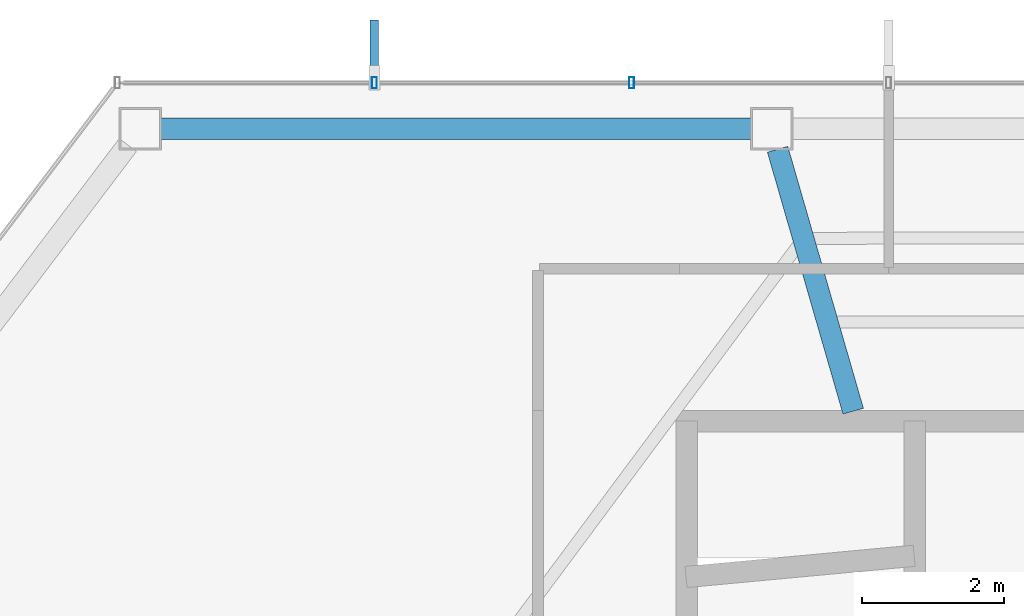
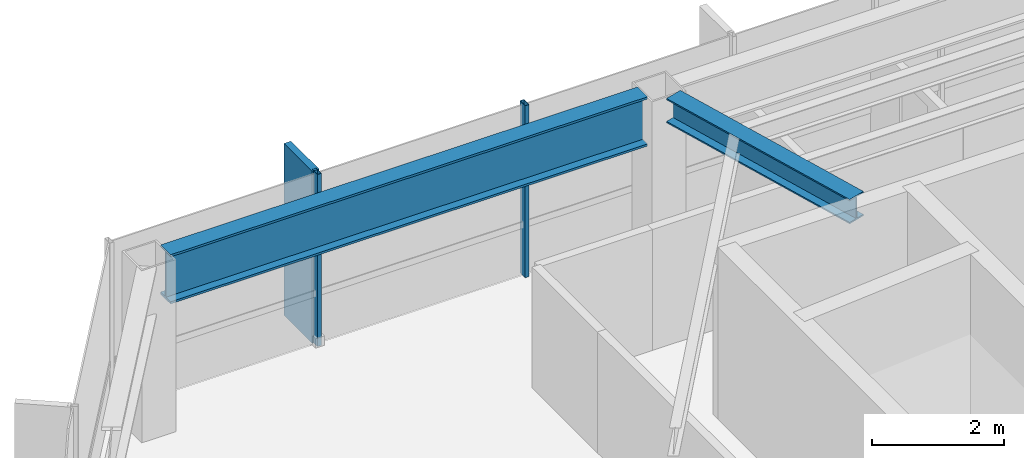
# One storey, part 13 of 27: 3 members, 2 beams, 1 element without a shape of its own.
"""IFC4 building model written with IfcOpenShell, lengths in metres."""

from ifc_helpers import new_model, si_unit, direction, frame, origin, origin_2d, place, context, subcontext, project, spatial, rectangle, hollow_rectangle, i_section, extrude, material, layer, layer_set, material_profile, profile_set, type_object, element, aggregate, save


model = new_model("IFC4")

# Units and contexts
model_context = context("Model", 3, precision=1e-05, world=origin(), true_north=direction((0.0, 1.0)))
body_context = subcontext(model_context, "Body", "Model", "MODEL_VIEW")
ifc_project = project(units=[si_unit("LENGTHUNIT", "METRE"), si_unit("AREAUNIT", "SQUARE_METRE"), si_unit("VOLUMEUNIT", "CUBIC_METRE"), si_unit("PLANEANGLEUNIT", "RADIAN"), si_unit("MASSUNIT", "GRAM", prefix="KILO")], contexts=[model_context])

# Site, building, storey
site_placement = place(None, origin())
site = spatial("IfcSite", under=ifc_project, at=site_placement, CompositionType="ELEMENT")
building_placement = place(site_placement, origin())
building = spatial("IfcBuilding", under=site, at=building_placement, Name="Zarrinselat Tower", CompositionType="ELEMENT")
storey_placement = place(building_placement, frame((0.0, 0.0, 232.56005859375)))
storey = spatial("IfcBuildingStorey", under=building, at=storey_placement, Name="L58", CompositionType="ELEMENT", Elevation=232.56005859375)

# Beams
ifc_material_1 = material(Name="Steel S355J2", Category="steel")
ifc_material_profile_1 = material_profile(ifc_material_1, i_section(OverallWidth=0.300048828125, OverallDepth=0.449951171875, WebThickness=0.013916015625, FlangeThickness=0.02587890625, at=origin_2d()), Name="HEB 450")
ifc_profile_set_1 = profile_set([ifc_material_profile_1], Name="Steel S355J2")
beam_type_1 = type_object("IfcBeamType", Name="BM-HEB450", PredefinedType="BEAM", material=ifc_profile_set_1)
beam_1_placement = place(storey_placement, frame((29.9326171875, 47.237548828125, 2.954833984375), z_axis=(0.277350981554, -0.960768667803, 0.0), x_axis=(0.960768667803, 0.277350981554, 0.0)))
element("IfcBeam", 1, at=beam_1_placement, inside=storey, type_object=beam_type_1, Name="L58 Radial Primary Girder RG04", PredefinedType="BEAM", context=body_context, shape_type="SweptSolid", body=[
    extrude(i_section(OverallWidth=0.300048828125, OverallDepth=0.449951171875, WebThickness=0.013916015625, FlangeThickness=0.02587890625, at=origin_2d()), origin(), (0.0, 0.0, 1.0), 3.848388671875),
])
ifc_material_2 = material(Name="Steel S460M", Category="steel")
ifc_material_profile_2 = material_profile(ifc_material_2, i_section(OverallWidth=0.302001953125, OverallDepth=0.909912109375, WebThickness=0.02099609375, FlangeThickness=0.0400390625, at=origin_2d()), Name="HEM 900")
ifc_profile_set_2 = profile_set([ifc_material_profile_2], Name="Steel S460M")
beam_type_2 = type_object("IfcBeamType", Name="BM-HEM900", PredefinedType="BEAM", material=ifc_profile_set_2)
beam_2_placement = place(storey_placement, frame((21.222412109375, 47.52783203125, 2.724853515625), z_axis=(1.0, 0.0, 0.0), x_axis=(0.0, 1.0, 0.0)))
element("IfcBeam", 2, at=beam_2_placement, inside=storey, type_object=beam_type_2, Name="L58 Perimeter Spandrel Girder SP04", PredefinedType="BEAM", context=body_context, shape_type="SweptSolid", body=[
    extrude(i_section(OverallWidth=0.302001953125, OverallDepth=0.909912109375, WebThickness=0.02099609375, FlangeThickness=0.0400390625, at=origin_2d()), origin(), (0.0, 0.0, 1.0), 8.33837890625),
])

# Curtain wall, members
ifc_material_3 = material(Name="Extruded Aluminium Alloy EN AW-6063 T6", Category="aluminium")
ifc_layer = layer(ifc_material_3, 0.169921875)
ifc_layer_set = layer_set([ifc_layer], Name="Extruded Aluminium Alloy EN AW-6063 T6")
curtain_wall_type = type_object("IfcCurtainWallType", Name="CWS-RES", PredefinedType="NOTDEFINED", material=ifc_layer_set)
curtain_wall_placement = place(storey_placement, origin())
curtain_wall = element("IfcCurtainWall", 3, at=curtain_wall_placement, inside=storey, type_object=curtain_wall_type, Name="L58 Unitised Curtain Wall CW-L58-E01", PredefinedType="NOTDEFINED")
ifc_material_4 = material(Name="Extruded Aluminium Alloy EN AW-6063 T6", Category="aluminium")
ifc_material_profile_3 = material_profile(ifc_material_4, hollow_rectangle(XDim=0.070068359375, YDim=0.159912109375, WallThickness=0.00390625, at=origin_2d()), Name="RHS 160x70x4")
ifc_profile_set_3 = profile_set([ifc_material_profile_3], Name="Extruded Aluminium Alloy EN AW-6063 T6")
member_type_1 = type_object("IfcMemberType", Name="MEM-CW-MUL2", PredefinedType="MULLION", material=ifc_profile_set_3)
member_1_placement = place(storey_placement, frame((27.872314453125, 48.177734375, 0.0), z_axis=(0.0, 0.0, 1.0), x_axis=(-1.0, 0.0, 0.0)))
member_1 = element("IfcMember", 4, at=member_1_placement, type_object=member_type_1, Name="CW-L58-E01 Mullion 10", PredefinedType="MULLION", context=body_context, shape_type="SweptSolid", body=[
    extrude(hollow_rectangle(XDim=0.070068359375, YDim=0.159912109375, WallThickness=0.00390625, at=origin_2d()), origin(), (0.0, 0.0, 1.0), 3.179931640625),
])
member_2_placement = place(storey_placement, frame((24.241943359375, 48.177734375, 0.0), z_axis=(0.0, 0.0, 1.0), x_axis=(-1.0, 0.0, 0.0)))
member_2 = element("IfcMember", 5, at=member_2_placement, type_object=member_type_1, Name="CW-L58-E01 Mullion 11", PredefinedType="MULLION", context=body_context, shape_type="SweptSolid", body=[
    extrude(hollow_rectangle(XDim=0.070068359375, YDim=0.159912109375, WallThickness=0.00390625, at=origin_2d()), origin(), (0.0, 0.0, 1.0), 3.179931640625),
])
ifc_material_5 = material(Name="Honed Cream Travertine Stone", Category="masonry")
ifc_material_profile_4 = material_profile(ifc_material_5, rectangle(XDim=0.1201171875, YDim=0.85009765625, at=origin_2d()), Name="FIN 850x120")
ifc_profile_set_4 = profile_set([ifc_material_profile_4], Name="Honed Cream Travertine Stone")
member_type_2 = type_object("IfcMemberType", Name="MEM-STONE-FIN", PredefinedType="USERDEFINED", material=ifc_profile_set_4)
member_3_placement = place(storey_placement, frame((24.241943359375, 48.6376953125, 0.0), z_axis=(0.0, 0.0, 1.0), x_axis=(1.0, 0.0, 0.0)))
member_3 = element("IfcMember", 6, at=member_3_placement, type_object=member_type_2, Name="L58 Stone Shading Fin CW-L58-E01-11", ObjectType="FIN", PredefinedType="USERDEFINED", context=body_context, shape_type="SweptSolid", body=[
    extrude(rectangle(XDim=0.1201171875, YDim=0.85009765625, at=origin_2d()), origin(), (0.0, 0.0, 1.0), 3.179931640625),
])
aggregate(curtain_wall, [member_1, member_2, member_3])

save(model, "model.ifc")
